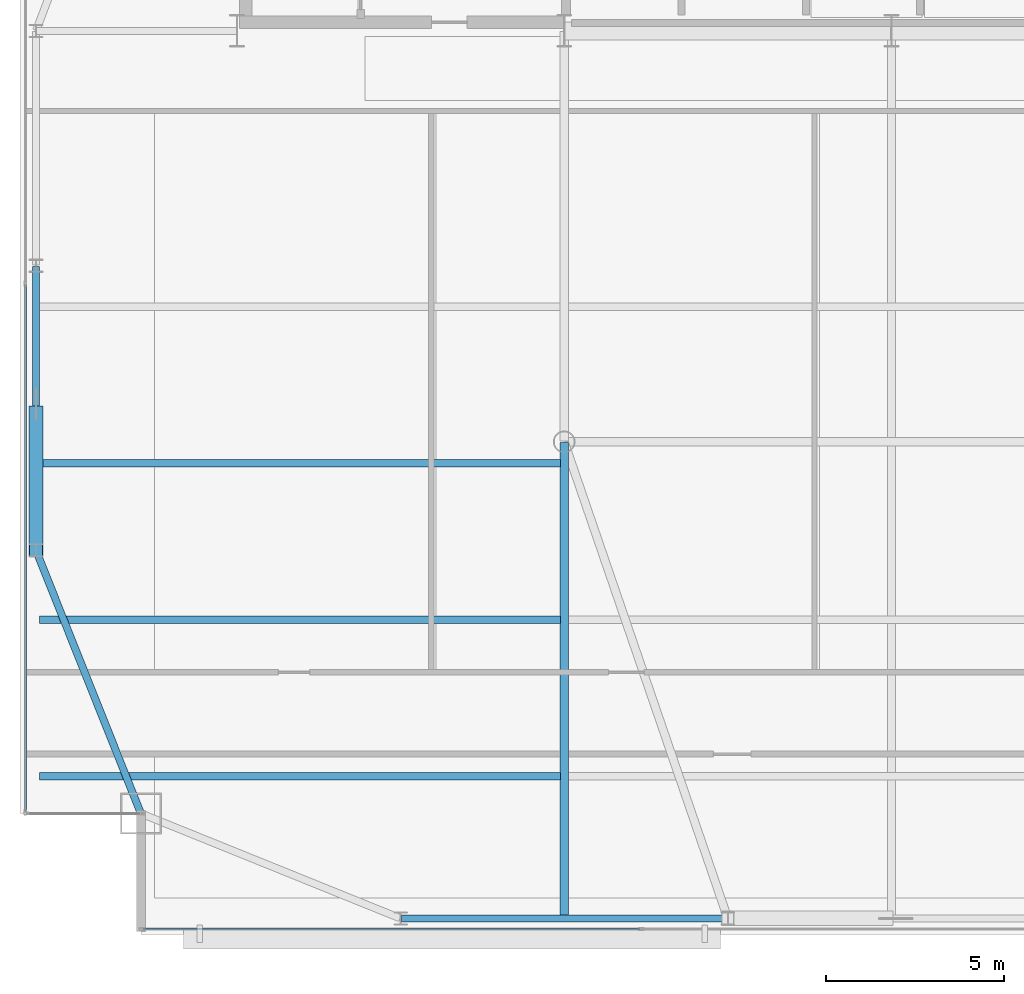
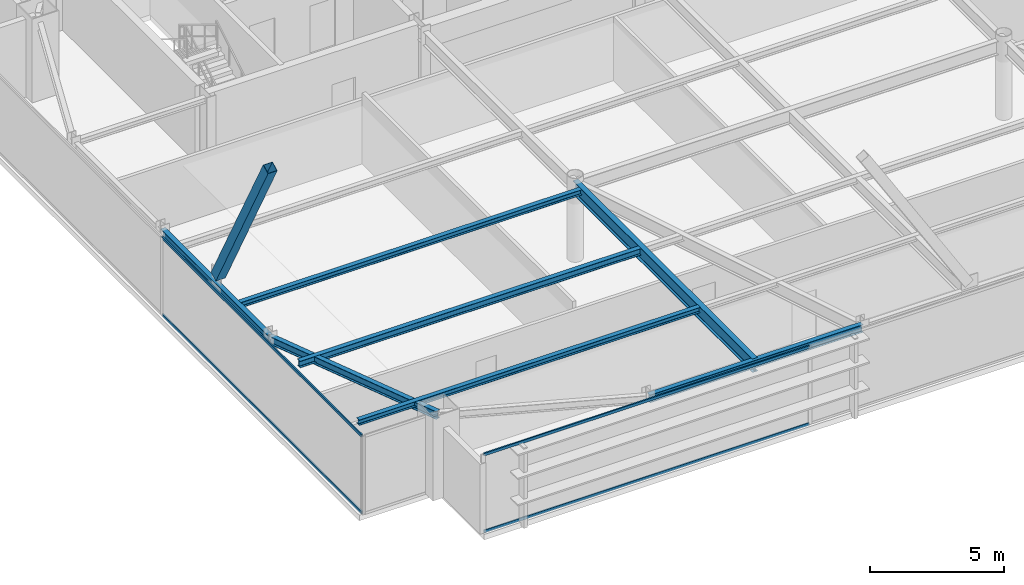
# One storey, part 5 of 27: 7 beams, 5 members, 2 elements without a shape of their own.
"""IFC4 building model written with IfcOpenShell, lengths in metres."""

from ifc_helpers import new_model, si_unit, direction, frame, origin, origin_2d, place, context, subcontext, project, spatial, hollow_rectangle, i_section, extrude, source, transform, mapped, material, layer, layer_set, material_profile, profile_set, type_object, type_shapes, element, aggregate, save


model = new_model("IFC4")

# Units and contexts
model_context = context("Model", 3, precision=1e-05, world=origin(), true_north=direction((0.0, 1.0)))
body_context = subcontext(model_context, "Body", "Model", "MODEL_VIEW")
ifc_project = project(units=[si_unit("LENGTHUNIT", "METRE"), si_unit("AREAUNIT", "SQUARE_METRE"), si_unit("VOLUMEUNIT", "CUBIC_METRE"), si_unit("PLANEANGLEUNIT", "RADIAN"), si_unit("MASSUNIT", "GRAM", prefix="KILO")], contexts=[model_context])

# Site, building, storey
site_placement = place(None, origin())
site = spatial("IfcSite", under=ifc_project, at=site_placement, CompositionType="ELEMENT")
building_placement = place(site_placement, origin())
building = spatial("IfcBuilding", under=site, at=building_placement, Name="Varnel Quay Broadcast Tower", CompositionType="ELEMENT")
storey_placement = place(building_placement, frame((0.0, 0.0, 203.60009765625)))
storey = spatial("IfcBuildingStorey", under=building, at=storey_placement, Name="L50", CompositionType="ELEMENT", Elevation=203.60009765625)

# Beams
ifc_material_1 = material(Name="Structural Steel CSA G40.21 350W", Category="steel")
ifc_material_profile_1 = material_profile(ifc_material_1, i_section(OverallWidth=0.205078125, OverallDepth=0.35400390625, WebThickness=0.009521484375, FlangeThickness=0.016845703125, FilletRadius=0.012939453125, at=origin_2d()), Name="W360X79")
ifc_profile_set_1 = profile_set([ifc_material_profile_1], Name="Structural Steel CSA G40.21 350W")
beam_type_1 = type_object("IfcBeamType", Name="Beam_W360X79", PredefinedType="SPANDREL", material=ifc_profile_set_1)
shared_shape_1 = source(origin(), body_context, "Body", "SweptSolid", [
    extrude(i_section(OverallWidth=0.205078125, OverallDepth=0.35400390625, WebThickness=0.009521484375, FlangeThickness=0.016845703125, FilletRadius=0.012939453125, at=origin_2d()), origin(), (0.0, 0.0, 1.0), 9.159912109375),
])
beam_1_placement = place(storey_placement, frame((20.219970703125, 10.64990234375, 3.372802734375), z_axis=(1.0, 0.0, 0.0), x_axis=(0.0, 1.0, 0.0)))
element("IfcBeam", 1, at=beam_1_placement, inside=storey, type_object=beam_type_1, Name="L50 South Spandrel TC-S1-TC-S2", PredefinedType="SPANDREL", context=body_context, shape_type="MappedRepresentation", body=[
    mapped(shared_shape_1, transform((0.0, 0.0, 0.0), x_axis=(1.0, 0.0, 0.0), y_axis=(0.0, 1.0, 0.0), z_axis=(0.0, 0.0, 1.0), scale=1.0)),
])
shared_shape_2 = source(origin(), body_context, "Body", "SweptSolid", [
    extrude(i_section(OverallWidth=0.205078125, OverallDepth=0.35400390625, WebThickness=0.009521484375, FlangeThickness=0.016845703125, FilletRadius=0.012939453125, at=origin_2d()), origin(), (0.0, 0.0, 1.0), 7.92626953125),
])
beam_2_placement = place(storey_placement, frame((12.892578125, 13.61865234375, 3.372802734375), z_axis=(-0.370296431883, 0.928913641053, 0.0), x_axis=(-0.928913641053, -0.370296431883, 0.0)))
element("IfcBeam", 2, at=beam_2_placement, inside=storey, type_object=beam_type_1, Name="L50 West Spandrel MC-SW-TC-W1", PredefinedType="SPANDREL", context=body_context, shape_type="MappedRepresentation", body=[
    mapped(shared_shape_2, transform((0.0, 0.0, 0.0), x_axis=(1.0, 0.0, 0.0), y_axis=(0.0, 1.0, 0.0), z_axis=(0.0, 0.0, 1.0), scale=1.0)),
])
shared_shape_3 = source(origin(), body_context, "Body", "SweptSolid", [
    extrude(i_section(OverallWidth=0.205078125, OverallDepth=0.35400390625, WebThickness=0.009521484375, FlangeThickness=0.016845703125, FilletRadius=0.012939453125, at=origin_2d()), origin(), (0.0, 0.0, 1.0), 7.9599609375),
])
type_shapes(beam_type_1, [shared_shape_1, shared_shape_2, shared_shape_3])
beam_3_placement = place(storey_placement, frame((9.949951171875, 21.02001953125, 3.372802734375), z_axis=(0.0, 1.0, 0.0), x_axis=(-1.0, 0.0, 0.0)))
element("IfcBeam", 3, at=beam_3_placement, inside=storey, type_object=beam_type_1, Name="L50 West Spandrel TC-W1-TC-W2", PredefinedType="SPANDREL", context=body_context, shape_type="MappedRepresentation", body=[
    mapped(shared_shape_3, transform((0.0, 0.0, 0.0), x_axis=(1.0, 0.0, 0.0), y_axis=(0.0, 1.0, 0.0), z_axis=(0.0, 0.0, 1.0), scale=1.0)),
])
ifc_material_profile_2 = material_profile(ifc_material_1, i_section(OverallWidth=0.22998046875, OverallDepth=0.616943359375, WebThickness=0.01318359375, FlangeThickness=0.022216796875, FilletRadius=0.01611328125, at=origin_2d()), Name="W610X140")
ifc_profile_set_2 = profile_set([ifc_material_profile_2], Name="Structural Steel CSA G40.21 350W")
beam_type_2 = type_object("IfcBeamType", Name="Girder_W610X140", PredefinedType="BEAM", material=ifc_profile_set_2)
shared_shape_4 = source(origin(), body_context, "Body", "SweptSolid", [
    extrude(i_section(OverallWidth=0.22998046875, OverallDepth=0.616943359375, WebThickness=0.01318359375, FlangeThickness=0.022216796875, FilletRadius=0.01611328125, at=origin_2d()), origin(), (0.0, 0.0, 1.0), 13.360107421875),
])
type_shapes(beam_type_2, [shared_shape_4])
beam_4_placement = place(storey_placement, frame((24.800048828125, 10.669921875, 3.241455078125), z_axis=(0.0, 1.0, 0.0), x_axis=(-1.0, 0.0, 0.0)))
element("IfcBeam", 4, at=beam_4_placement, inside=storey, type_object=beam_type_2, Name="L50 N-S Joist Header IC-01S", PredefinedType="BEAM", context=body_context, shape_type="MappedRepresentation", body=[
    mapped(shared_shape_4, transform((0.0, 0.0, 0.0), x_axis=(1.0, 0.0, 0.0), y_axis=(0.0, 1.0, 0.0), z_axis=(0.0, 0.0, 1.0), scale=1.0)),
])
ifc_material_profile_3 = material_profile(ifc_material_1, i_section(OverallWidth=0.201904296875, OverallDepth=0.2470703125, WebThickness=0.00732421875, FlangeThickness=0.010986328125, FilletRadius=0.010986328125, at=origin_2d()), Name="W250X49")
ifc_profile_set_3 = profile_set([ifc_material_profile_3], Name="Structural Steel CSA G40.21 350W")
beam_type_3 = type_object("IfcBeamType", Name="Beam_W250X49", PredefinedType="JOIST", material=ifc_profile_set_3)
shared_shape_5 = source(origin(), body_context, "Body", "SweptSolid", [
    extrude(i_section(OverallWidth=0.201904296875, OverallDepth=0.2470703125, WebThickness=0.00732421875, FlangeThickness=0.010986328125, FilletRadius=0.010986328125, at=origin_2d()), origin(), (0.0, 0.0, 1.0), 14.642333984375),
])
type_shapes(beam_type_3, [shared_shape_5])
for number, where, z_axis, x_axis, name in (
    (5, (10.047607421875, 14.64990234375, 3.426513671875), (1.0, 0.0, 0.0), (0.0, 1.0, 0.0), "L50 West Floor Joist 1"),
    (6, (10.047607421875, 23.449951171875, 3.426513671875), (1.0, 0.0, 0.0), (0.0, 1.0, 0.0), "L50 West Floor Joist 3"),
):
    element("IfcBeam", number, at=place(storey_placement, frame(where, z_axis=z_axis, x_axis=x_axis)), inside=storey, type_object=beam_type_3, Name=name, PredefinedType="JOIST", context=body_context, shape_type="MappedRepresentation", body=[
        mapped(shared_shape_5, transform((0.0, 0.0, 0.0), x_axis=(1.0, 0.0, 0.0), y_axis=(0.0, 1.0, 0.0), z_axis=(0.0, 0.0, 1.0), scale=1.0)),
    ])
ifc_material_profile_4 = material_profile(ifc_material_1, i_section(OverallWidth=0.202880859375, OverallDepth=0.302978515625, WebThickness=0.007568359375, FlangeThickness=0.01318359375, FilletRadius=0.011962890625, at=origin_2d()), Name="W310X60")
ifc_profile_set_4 = profile_set([ifc_material_profile_4], Name="Structural Steel CSA G40.21 350W")
beam_type_4 = type_object("IfcBeamType", Name="Beam_W310X60", PredefinedType="JOIST", material=ifc_profile_set_4)
shared_shape_6 = source(origin(), body_context, "Body", "SweptSolid", [
    extrude(i_section(OverallWidth=0.202880859375, OverallDepth=0.302978515625, WebThickness=0.007568359375, FlangeThickness=0.01318359375, FilletRadius=0.011962890625, at=origin_2d()), origin(), (0.0, 0.0, 1.0), 14.642333984375),
])
type_shapes(beam_type_4, [shared_shape_6])
beam_5_placement = place(storey_placement, frame((10.047607421875, 19.050048828125, 3.3984375), z_axis=(1.0, 0.0, 0.0), x_axis=(0.0, 1.0, 0.0)))
element("IfcBeam", 7, at=beam_5_placement, inside=storey, type_object=beam_type_4, Name="L50 West Floor Joist 2", PredefinedType="JOIST", context=body_context, shape_type="MappedRepresentation", body=[
    mapped(shared_shape_6, transform((0.0, 0.0, 0.0), x_axis=(1.0, 0.0, 0.0), y_axis=(0.0, 1.0, 0.0), z_axis=(0.0, 0.0, 1.0), scale=1.0)),
])

# Member
ifc_material_profile_5 = material_profile(ifc_material_1, hollow_rectangle(XDim=0.406005859375, YDim=0.406005859375, WallThickness=0.01611328125, at=origin_2d()), Name="HSS406X406X16")
ifc_profile_set_5 = profile_set([ifc_material_profile_5], Name="Structural Steel CSA G40.21 350W")
member_type_1 = type_object("IfcMemberType", Name="Brace_HSS406X406X16", PredefinedType="BRACE", material=ifc_profile_set_5)
shared_shape_7 = source(origin(), body_context, "Body", "SweptSolid", [
    extrude(hollow_rectangle(XDim=0.406005859375, YDim=0.406005859375, WallThickness=0.01611328125, at=origin_2d()), origin(), (0.0, 0.0, 1.0), 8.191650390625),
])
type_shapes(member_type_1, [shared_shape_7])
member_1_placement = place(storey_placement, frame((9.949951171875, 24.873046875, 3.91162109375), z_axis=(0.0, -0.47280190134, 0.881168747794), x_axis=(1.0, 0.0, 0.0)))
element("IfcMember", 8, at=member_1_placement, inside=storey, type_object=member_type_1, Name="Zone 4 Mega-Brace W-FT1 Split Diag B2", PredefinedType="BRACE", context=body_context, shape_type="MappedRepresentation", body=[
    mapped(shared_shape_7, transform((0.0, 0.0, 0.0), x_axis=(1.0, 0.0, 0.0), y_axis=(0.0, 1.0, 0.0), z_axis=(0.0, 0.0, 1.0), scale=1.0)),
])

# Curtain wall, members
ifc_material_2 = material(Name="Anodised Bronze Aluminium 6063-T6", Category="aluminium")
ifc_layer = layer(ifc_material_2, 0.18994140625, Name="Anodised Bronze Aluminium 6063-T6")
ifc_layer_set = layer_set([ifc_layer], Name="Anodised Bronze Aluminium 6063-T6")
curtain_wall_type = type_object("IfcCurtainWallType", Name="CW_UpperTower", PredefinedType="NOTDEFINED", material=ifc_layer_set)
curtain_wall_1_placement = place(storey_placement, origin())
curtain_wall_1 = element("IfcCurtainWall", 9, at=curtain_wall_1_placement, inside=storey, type_object=curtain_wall_type, Name="L50 West Unitised Curtain Wall", PredefinedType="NOTDEFINED")
ifc_material_profile_6 = material_profile(ifc_material_2, hollow_rectangle(XDim=0.06005859375, YDim=0.125, WallThickness=0.0029296875, at=origin_2d()), Name="ALU60X125X3")
ifc_profile_set_6 = profile_set([ifc_material_profile_6], Name="Anodised Bronze Aluminium 6063-T6")
member_type_2 = type_object("IfcMemberType", Name="Tran_CWS-03", PredefinedType="USERDEFINED", material=ifc_profile_set_6)
shared_shape_8 = source(origin(), body_context, "Body", "SweptSolid", [
    extrude(hollow_rectangle(XDim=0.06005859375, YDim=0.125, WallThickness=0.0029296875, at=origin_2d()), origin(), (0.0, 0.0, 1.0), 14.802490234375),
])
member_2_placement = place(storey_placement, frame((9.64990234375, 13.6650390625, 0.02978515625), z_axis=(0.0, 1.0, 0.0), x_axis=(-1.0, 0.0, 0.0)))
member_2 = element("IfcMember", 10, at=member_2_placement, type_object=member_type_2, Name="CWS-03 transom 1.1", ObjectType="TRANSOM", PredefinedType="USERDEFINED", context=body_context, shape_type="MappedRepresentation", body=[
    mapped(shared_shape_8, transform((0.0, 0.0, 0.0), x_axis=(1.0, 0.0, 0.0), y_axis=(0.0, 1.0, 0.0), z_axis=(0.0, 0.0, 1.0), scale=1.0)),
])
member_3_placement = place(storey_placement, frame((9.64990234375, 13.6650390625, 3.52001953125), z_axis=(0.0, 1.0, 0.0), x_axis=(-1.0, 0.0, 0.0)))
member_3 = element("IfcMember", 11, at=member_3_placement, type_object=member_type_2, Name="CWS-03 transom 1.2", ObjectType="TRANSOM", PredefinedType="USERDEFINED", context=body_context, shape_type="MappedRepresentation", body=[
    mapped(shared_shape_8, transform((0.0, 0.0, 0.0), x_axis=(1.0, 0.0, 0.0), y_axis=(0.0, 1.0, 0.0), z_axis=(0.0, 0.0, 1.0), scale=1.0)),
])
aggregate(curtain_wall_1, [member_2, member_3])

curtain_wall_2_placement = place(storey_placement, origin())
curtain_wall_2 = element("IfcCurtainWall", 12, at=curtain_wall_2_placement, inside=storey, type_object=curtain_wall_type, Name="L50 South Unitised Curtain Wall 1", PredefinedType="NOTDEFINED")
shared_shape_9 = source(origin(), body_context, "Body", "SweptSolid", [
    extrude(hollow_rectangle(XDim=0.06005859375, YDim=0.125, WallThickness=0.0029296875, at=origin_2d()), origin(), (0.0, 0.0, 1.0), 13.968994140625),
])
type_shapes(member_type_2, [shared_shape_8, shared_shape_9])
member_4_placement = place(storey_placement, frame((12.965087890625, 10.35009765625, 0.02978515625), z_axis=(1.0, 0.0, 0.0), x_axis=(0.0, 1.0, 0.0)))
member_4 = element("IfcMember", 13, at=member_4_placement, type_object=member_type_2, Name="CWS-03 transom 1.1", ObjectType="TRANSOM", PredefinedType="USERDEFINED", context=body_context, shape_type="MappedRepresentation", body=[
    mapped(shared_shape_9, transform((0.0, 0.0, 0.0), x_axis=(1.0, 0.0, 0.0), y_axis=(0.0, 1.0, 0.0), z_axis=(0.0, 0.0, 1.0), scale=1.0)),
])
member_5_placement = place(storey_placement, frame((12.965087890625, 10.35009765625, 3.52001953125), z_axis=(1.0, 0.0, 0.0), x_axis=(0.0, 1.0, 0.0)))
member_5 = element("IfcMember", 14, at=member_5_placement, type_object=member_type_2, Name="CWS-03 transom 1.2", ObjectType="TRANSOM", PredefinedType="USERDEFINED", context=body_context, shape_type="MappedRepresentation", body=[
    mapped(shared_shape_9, transform((0.0, 0.0, 0.0), x_axis=(1.0, 0.0, 0.0), y_axis=(0.0, 1.0, 0.0), z_axis=(0.0, 0.0, 1.0), scale=1.0)),
])
aggregate(curtain_wall_2, [member_4, member_5])

save(model, "model.ifc")
